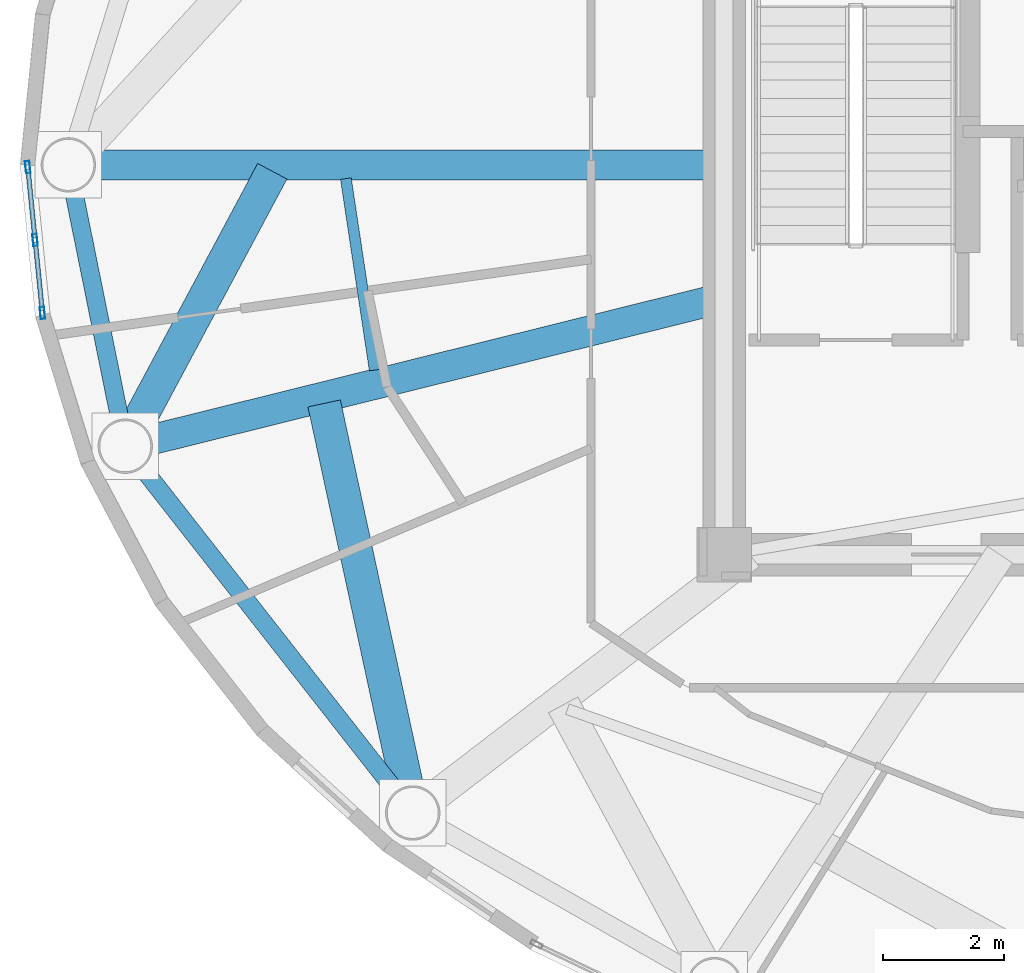
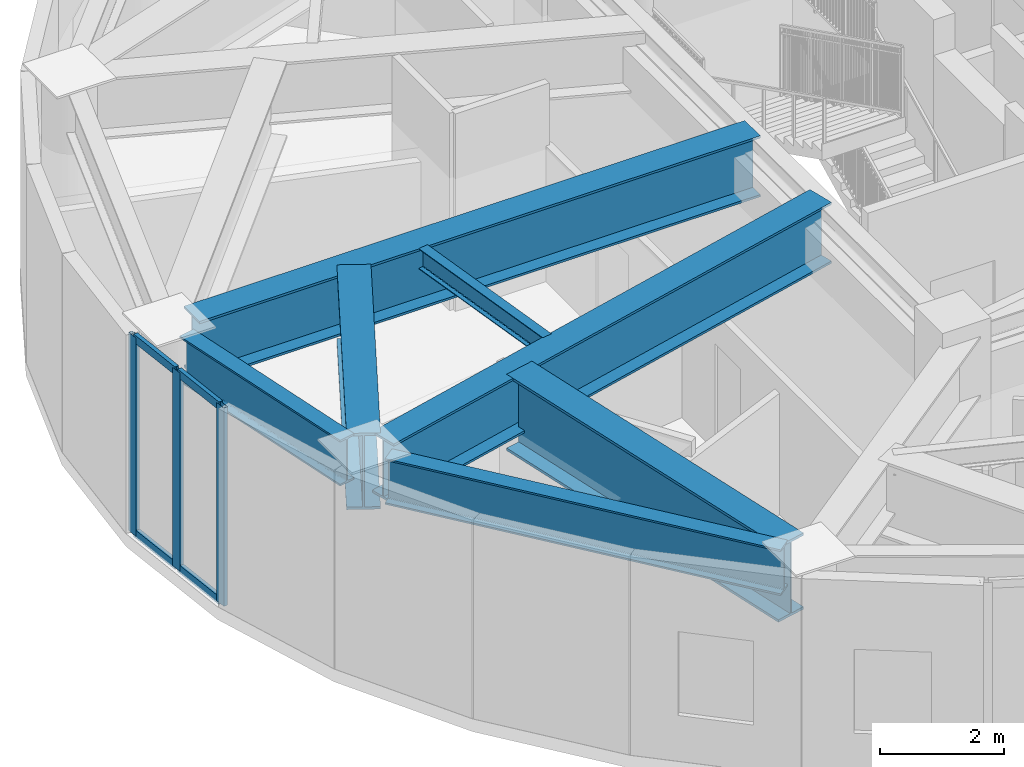
# One storey, part 4 of 23: 7 beams, 7 members, 1 element without a shape of its own.
"""IFC4 building model written with IfcOpenShell, lengths in metres."""

from ifc_helpers import new_model, si_unit, direction, frame, origin, origin_2d, place, context, subcontext, project, spatial, hollow_rectangle, i_section, extrude, source, transform, mapped, material, layer, layer_set, material_profile, profile_set, type_object, element, aggregate, save


model = new_model("IFC4")

# Units and contexts
model_context = context("Model", 3, precision=1e-05, world=origin(), true_north=direction((0.0, 1.0)))
body_context = subcontext(model_context, "Body", "Model", "MODEL_VIEW")
ifc_project = project(units=[si_unit("LENGTHUNIT", "METRE"), si_unit("AREAUNIT", "SQUARE_METRE"), si_unit("VOLUMEUNIT", "CUBIC_METRE"), si_unit("PLANEANGLEUNIT", "RADIAN"), si_unit("MASSUNIT", "GRAM", prefix="KILO")], contexts=[model_context])

# Site, building, storey
site_placement = place(None, origin())
site = spatial("IfcSite", under=ifc_project, at=site_placement, CompositionType="ELEMENT")
building_placement = place(site_placement, origin())
building = spatial("IfcBuilding", under=site, at=building_placement, Name="Linh Dai School and Residence Tower", CompositionType="ELEMENT")
storey_placement = place(building_placement, frame((0.0, 0.0, 359.39990234375)))
storey = spatial("IfcBuildingStorey", under=building, at=storey_placement, Name="L89", CompositionType="ELEMENT", Elevation=359.39990234375)

# Beams
ifc_material_1 = material(Name="Structural Steel S355JR", Category="steel")
ifc_material_profile_1 = material_profile(ifc_material_1, i_section(OverallWidth=0.300048828125, OverallDepth=0.89990234375, WebThickness=0.0185546875, FlangeThickness=0.034912109375, FilletRadius=0.030029296875, at=origin_2d()), Name="HEB 900")
ifc_profile_set_1 = profile_set([ifc_material_profile_1], Name="Structural Steel S355JR")
beam_type_1 = type_object("IfcBeamType", Name="BM-RG9", PredefinedType="BEAM", material=ifc_profile_set_1)
beam_1_placement = place(storey_placement, frame((16.38330078125, 26.58837890625, 3.4501953125), z_axis=(0.198409502721, -0.980119211744, 0.0), x_axis=(0.980119211744, 0.198409502721, 0.0)))
element("IfcBeam", 1, at=beam_1_placement, inside=storey, type_object=beam_type_1, Name="L89 Perimeter Elliptical Ring Beam 09", PredefinedType="BEAM", context=body_context, shape_type="SweptSolid", body=[
    extrude(i_section(OverallWidth=0.300048828125, OverallDepth=0.89990234375, WebThickness=0.0185546875, FlangeThickness=0.034912109375, FilletRadius=0.030029296875, at=origin_2d()), origin(), (0.0, 0.0, 1.0), 3.9091796875),
])
beam_2_placement = place(storey_placement, frame((17.501220703125, 22.0146484375, 3.4501953125), z_axis=(0.616844770958, -0.787084829318, 0.0), x_axis=(0.787084829318, 0.616844770958, 0.0)))
element("IfcBeam", 2, at=beam_2_placement, inside=storey, type_object=beam_type_1, Name="L89 Perimeter Elliptical Ring Beam 10", PredefinedType="BEAM", context=body_context, shape_type="SweptSolid", body=[
    extrude(i_section(OverallWidth=0.300048828125, OverallDepth=0.89990234375, WebThickness=0.0185546875, FlangeThickness=0.034912109375, FilletRadius=0.030029296875, at=origin_2d()), origin(), (0.0, 0.0, 1.0), 6.869384765625),
])
ifc_material_profile_2 = material_profile(ifc_material_1, i_section(OverallWidth=0.179931640625, OverallDepth=0.39990234375, WebThickness=0.008544921875, FlangeThickness=0.013427734375, FilletRadius=0.02099609375, at=origin_2d()), Name="IPE 400")
ifc_profile_set_2 = profile_set([ifc_material_profile_2], Name="Structural Steel S355JR")
beam_type_2 = type_object("IfcBeamType", Name="BM-SB40", PredefinedType="BEAM", material=ifc_profile_set_2)
beam_3_placement = place(storey_placement, frame((20.891357421875, 26.7724609375, 3.7001953125), z_axis=(0.149164107932, -0.988812453858, 0.0), x_axis=(0.988812453858, 0.149164107932, 0.0)))
element("IfcBeam", 3, at=beam_3_placement, inside=storey, type_object=beam_type_2, Name="L89 Secondary Circumferential Floor Beam 05", PredefinedType="BEAM", context=body_context, shape_type="SweptSolid", body=[
    extrude(i_section(OverallWidth=0.179931640625, OverallDepth=0.39990234375, WebThickness=0.008544921875, FlangeThickness=0.013427734375, FilletRadius=0.02099609375, at=origin_2d()), origin(), (0.0, 0.0, 1.0), 3.203125),
])
ifc_material_profile_3 = material_profile(ifc_material_1, i_section(OverallWidth=0.5, OverallDepth=1.199951171875, WebThickness=0.02392578125, FlangeThickness=0.044921875, at=origin_2d()), Name="PG 1200x500x24x45")
ifc_profile_set_3 = profile_set([ifc_material_profile_3], Name="Structural Steel S355JR")
beam_type_3 = type_object("IfcBeamType", Name="BM-TG12", PredefinedType="BEAM", material=ifc_profile_set_3)
beam_4_placement = place(storey_placement, frame((27.14990234375, 27.0, 3.300048828125), z_axis=(-1.0, 0.0, 0.0), x_axis=(0.0, -1.0, 0.0)))
element("IfcBeam", 4, at=beam_4_placement, inside=storey, type_object=beam_type_3, Name="L89 Radial Setback Transfer Girder 09", PredefinedType="BEAM", context=body_context, shape_type="SweptSolid", body=[
    extrude(i_section(OverallWidth=0.5, OverallDepth=1.199951171875, WebThickness=0.02392578125, FlangeThickness=0.044921875, at=origin_2d()), origin(), (0.0, 0.0, 1.0), 10.429931640625),
])
beam_5_placement = place(storey_placement, frame((27.14990234375, 24.803955078125, 3.300048828125), z_axis=(-0.970563583495, -0.24084503398, 0.0), x_axis=(0.24084503398, -0.970563583495, 0.0)))
element("IfcBeam", 5, at=beam_5_placement, inside=storey, type_object=beam_type_3, Name="L89 Radial Setback Transfer Girder 10", PredefinedType="BEAM", context=body_context, shape_type="SweptSolid", body=[
    extrude(i_section(OverallWidth=0.5, OverallDepth=1.199951171875, WebThickness=0.02392578125, FlangeThickness=0.044921875, at=origin_2d()), origin(), (0.0, 0.0, 1.0), 9.7880859375),
])
ifc_material_profile_4 = material_profile(ifc_material_1, i_section(OverallWidth=0.550048828125, OverallDepth=1.5, WebThickness=0.028076171875, FlangeThickness=0.050048828125, at=origin_2d()), Name="PG 1500x550x28x50")
ifc_profile_set_4 = profile_set([ifc_material_profile_4], Name="Structural Steel S355JR")
beam_type_4 = type_object("IfcBeamType", Name="BM-TG15", PredefinedType="BEAM", material=ifc_profile_set_4)
beam_6_placement = place(storey_placement, frame((19.67431640625, 26.894287109375, 3.150146484375), z_axis=(-0.471489200893, -0.881871835043, 0.0), x_axis=(0.881871835043, -0.471489200893, 0.0)))
element("IfcBeam", 6, at=beam_6_placement, inside=storey, type_object=beam_type_4, Name="L89 Setback Diaphragm Transfer Girder 09", PredefinedType="BEAM", context=body_context, shape_type="SweptSolid", body=[
    extrude(i_section(OverallWidth=0.550048828125, OverallDepth=1.5, WebThickness=0.028076171875, FlangeThickness=0.050048828125, at=origin_2d()), origin(), (0.0, 0.0, 1.0), 4.738525390625),
])
beam_7_placement = place(storey_placement, frame((20.532470703125, 23.05322265625, 3.150146484375), z_axis=(0.211354086798, -0.97740956103, 0.0), x_axis=(0.97740956103, 0.211354086798, 0.0)))
element("IfcBeam", 7, at=beam_7_placement, inside=storey, type_object=beam_type_4, Name="L89 Setback Diaphragm Transfer Girder 10", PredefinedType="BEAM", context=body_context, shape_type="SweptSolid", body=[
    extrude(i_section(OverallWidth=0.550048828125, OverallDepth=1.5, WebThickness=0.028076171875, FlangeThickness=0.050048828125, at=origin_2d()), origin(), (0.0, 0.0, 1.0), 6.5126953125),
])

# Curtain wall, members
ifc_material_2 = material(Name="Aluminium Anodised Curtain Wall", Category="aluminium")
ifc_layer = layer(ifc_material_2, 0.199951171875)
ifc_layer_set = layer_set([ifc_layer], Name="Aluminium Anodised Curtain Wall")
curtain_wall_type = type_object("IfcCurtainWallType", Name="CW-SYS-6", PredefinedType="USERDEFINED", material=ifc_layer_set)
curtain_wall_placement = place(storey_placement, origin())
curtain_wall = element("IfcCurtainWall", 8, at=curtain_wall_placement, inside=storey, type_object=curtain_wall_type, Name="L89 CW6 Curtain Wall 21", ObjectType="UNITISED CURTAIN WALL", PredefinedType="USERDEFINED")
ifc_material_3 = material(Name="Aluminium Alloy 6063-T6", Category="aluminium")
ifc_material_profile_5 = material_profile(ifc_material_3, hollow_rectangle(XDim=0.074951171875, YDim=0.159912109375, WallThickness=0.00390625, at=origin_2d()), Name="RHS 160x75x4")
ifc_profile_set_5 = profile_set([ifc_material_profile_5], Name="Aluminium Alloy 6063-T6")
member_type_1 = type_object("IfcMemberType", Name="CW-SYS-6-TRN", PredefinedType="USERDEFINED", material=ifc_profile_set_5)
shared_shape_1 = source(origin(), body_context, "Body", "SweptSolid", [
    extrude(hollow_rectangle(XDim=0.074951171875, YDim=0.159912109375, WallThickness=0.00390625, at=origin_2d()), origin(), (0.0, 0.0, 1.0), 1.136962890625),
])
member_1_placement = place(storey_placement, frame((15.867431640625, 24.587890625, 0.03759765625), z_axis=(-0.100056431161, 0.994981763945, 0.0), x_axis=(-0.994981763945, -0.100056431161, 0.0)))
member_1 = element("IfcMember", 9, at=member_1_placement, type_object=member_type_1, Name="CW6 transom 1.1", ObjectType="TRANSOM", PredefinedType="USERDEFINED", context=body_context, shape_type="MappedRepresentation", body=[
    mapped(shared_shape_1, transform((0.0, 0.0, 0.0), x_axis=(1.0, 0.0, 0.0), y_axis=(0.0, 1.0, 0.0), z_axis=(0.0, 0.0, 1.0), scale=1.0)),
])
member_2_placement = place(storey_placement, frame((15.867431640625, 24.587890625, 3.862548828125), z_axis=(-0.100056431161, 0.994981763945, 0.0), x_axis=(-0.994981763945, -0.100056431161, 0.0)))
member_2 = element("IfcMember", 10, at=member_2_placement, type_object=member_type_1, Name="CW6 transom 1.2", ObjectType="TRANSOM", PredefinedType="USERDEFINED", context=body_context, shape_type="MappedRepresentation", body=[
    mapped(shared_shape_1, transform((0.0, 0.0, 0.0), x_axis=(1.0, 0.0, 0.0), y_axis=(0.0, 1.0, 0.0), z_axis=(0.0, 0.0, 1.0), scale=1.0)),
])
member_3_placement = place(storey_placement, frame((15.74609375, 25.7939453125, 0.03759765625), z_axis=(-0.099843860502, 0.995003117342, 0.0), x_axis=(-0.995003117342, -0.099843860502, 0.0)))
member_3 = element("IfcMember", 11, at=member_3_placement, type_object=member_type_1, Name="CW6 transom 2.1", ObjectType="TRANSOM", PredefinedType="USERDEFINED", context=body_context, shape_type="MappedRepresentation", body=[
    mapped(shared_shape_1, transform((0.0, 0.0, 0.0), x_axis=(1.0, 0.0, 0.0), y_axis=(0.0, 1.0, 0.0), z_axis=(0.0, 0.0, 1.0), scale=1.0)),
])
member_4_placement = place(storey_placement, frame((15.74609375, 25.7939453125, 3.862548828125), z_axis=(-0.099843860502, 0.995003117342, 0.0), x_axis=(-0.995003117342, -0.099843860502, 0.0)))
member_4 = element("IfcMember", 12, at=member_4_placement, type_object=member_type_1, Name="CW6 transom 2.2", ObjectType="TRANSOM", PredefinedType="USERDEFINED", context=body_context, shape_type="MappedRepresentation", body=[
    mapped(shared_shape_1, transform((0.0, 0.0, 0.0), x_axis=(1.0, 0.0, 0.0), y_axis=(0.0, 1.0, 0.0), z_axis=(0.0, 0.0, 1.0), scale=1.0)),
])
ifc_material_profile_6 = material_profile(ifc_material_3, hollow_rectangle(XDim=0.074951171875, YDim=0.199951171875, WallThickness=0.00390625, at=origin_2d()), Name="RHS 200x75x4")
ifc_profile_set_6 = profile_set([ifc_material_profile_6], Name="Aluminium Alloy 6063-T6")
member_type_2 = type_object("IfcMemberType", Name="CW-SYS-6-MUL", PredefinedType="MULLION", material=ifc_profile_set_6)
shared_shape_2 = source(origin(), body_context, "Body", "SweptSolid", [
    extrude(hollow_rectangle(XDim=0.074951171875, YDim=0.199951171875, WallThickness=0.00390625, at=origin_2d()), origin(), (0.0, 0.0, 1.0), 3.900146484375),
])
member_5_placement = place(storey_placement, frame((15.87109375, 24.550537109375, 0.0), z_axis=(0.0, 0.0, 1.0), x_axis=(-0.994988264886, -0.099991763355, 0.0)))
member_5 = element("IfcMember", 13, at=member_5_placement, type_object=member_type_2, Name="CW6 mullion 1", PredefinedType="MULLION", context=body_context, shape_type="MappedRepresentation", body=[
    mapped(shared_shape_2, transform((0.0, 0.0, 0.0), x_axis=(1.0, 0.0, 0.0), y_axis=(0.0, 1.0, 0.0), z_axis=(0.0, 0.0, 1.0), scale=1.0)),
])
member_6_placement = place(storey_placement, frame((15.75, 25.756591796875, 0.0), z_axis=(0.0, 0.0, 1.0), x_axis=(-0.994988264886, -0.099991763355, 0.0)))
member_6 = element("IfcMember", 14, at=member_6_placement, type_object=member_type_2, Name="CW6 mullion 2", PredefinedType="MULLION", context=body_context, shape_type="MappedRepresentation", body=[
    mapped(shared_shape_2, transform((0.0, 0.0, 0.0), x_axis=(1.0, 0.0, 0.0), y_axis=(0.0, 1.0, 0.0), z_axis=(0.0, 0.0, 1.0), scale=1.0)),
])
member_7_placement = place(storey_placement, frame((15.628662109375, 26.962646484375, 0.0), z_axis=(0.0, 0.0, 1.0), x_axis=(-0.994988264886, -0.099991763355, 0.0)))
member_7 = element("IfcMember", 15, at=member_7_placement, type_object=member_type_2, Name="CW6 mullion 3", PredefinedType="MULLION", context=body_context, shape_type="MappedRepresentation", body=[
    mapped(shared_shape_2, transform((0.0, 0.0, 0.0), x_axis=(1.0, 0.0, 0.0), y_axis=(0.0, 1.0, 0.0), z_axis=(0.0, 0.0, 1.0), scale=1.0)),
])
aggregate(curtain_wall, [member_5, member_6, member_7, member_1, member_2, member_3, member_4])

save(model, "model.ifc")
